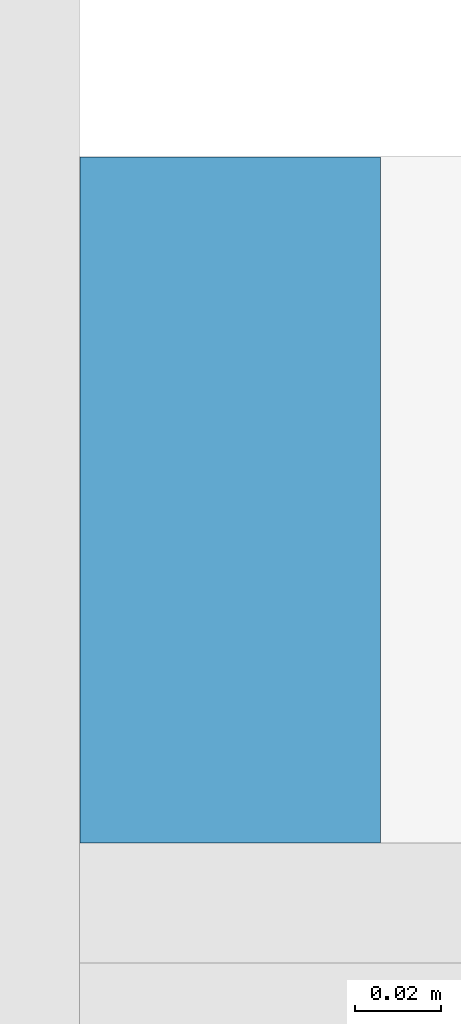
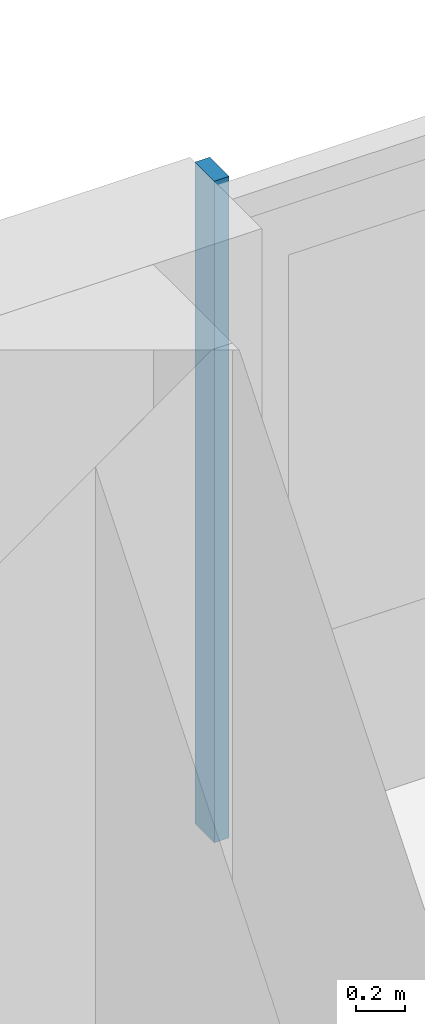
# One storey, part 10 of 26: 1 member, 1 element without a shape of its own.
"""IFC4 building model written with IfcOpenShell, lengths in metres."""

from ifc_helpers import new_model, si_unit, direction, frame, origin, origin_2d, place, context, subcontext, project, spatial, rectangle, extrude, material, material_profile, profile_set, type_object, element, aggregate, save


model = new_model("IFC4")

# Units and contexts
model_context = context("Model", 3, precision=1e-05, world=origin(), true_north=direction((0.0, 1.0)))
body_context = subcontext(model_context, "Body", "Model", "MODEL_VIEW")
ifc_project = project(units=[si_unit("LENGTHUNIT", "METRE"), si_unit("AREAUNIT", "SQUARE_METRE"), si_unit("VOLUMEUNIT", "CUBIC_METRE"), si_unit("PLANEANGLEUNIT", "RADIAN"), si_unit("MASSUNIT", "GRAM", prefix="KILO")], contexts=[model_context])

# Site, building, storey
site_placement = place(None, origin())
site = spatial("IfcSite", under=ifc_project, at=site_placement, CompositionType="ELEMENT")
building_placement = place(site_placement, origin())
building = spatial("IfcBuilding", under=site, at=building_placement, Name="Saffron Gate Tower", CompositionType="ELEMENT")
storey_placement = place(building_placement, frame((0.0, 0.0, 230.699951171875)))
storey = spatial("IfcBuildingStorey", under=building, at=storey_placement, Name="L56", CompositionType="ELEMENT", Elevation=230.699951171875)

# Curtain wall, member
ifc_material = material(Name="Aluminium, bronze anodised", Category="aluminium")
curtain_wall_type = type_object("IfcCurtainWallType", Name="CWS3 curtain wall rear facade", PredefinedType="NOTDEFINED", material=ifc_material)
curtain_wall_placement = place(storey_placement, origin())
curtain_wall = element("IfcCurtainWall", 1, at=curtain_wall_placement, inside=storey, type_object=curtain_wall_type, Name="CWS3 run 7", PredefinedType="NOTDEFINED")
ifc_material_profile = material_profile(ifc_material, rectangle(XDim=0.159912109375, YDim=0.070068359375, at=origin_2d()))
ifc_profile_set = profile_set([ifc_material_profile], Name="Aluminium, bronze anodised")
member_type = type_object("IfcMemberType", Name="CWS3 mullion 70x160", PredefinedType="MULLION", material=ifc_profile_set)
member_placement = place(storey_placement, frame((108.60009765625, 75.52001953125, 0.0), z_axis=(0.0, 0.0, 1.0), x_axis=(0.0, -1.0, 0.0)))
member = element("IfcMember", 2, at=member_placement, type_object=member_type, Name="CWS3 mullion 3", PredefinedType="MULLION", context=body_context, shape_type="SweptSolid", body=[
    extrude(rectangle(XDim=0.159912109375, YDim=0.070068359375, at=origin_2d()), origin(), (0.0, 0.0, 1.0), 3.320068359375),
])
aggregate(curtain_wall, [member])

save(model, "model.ifc")
